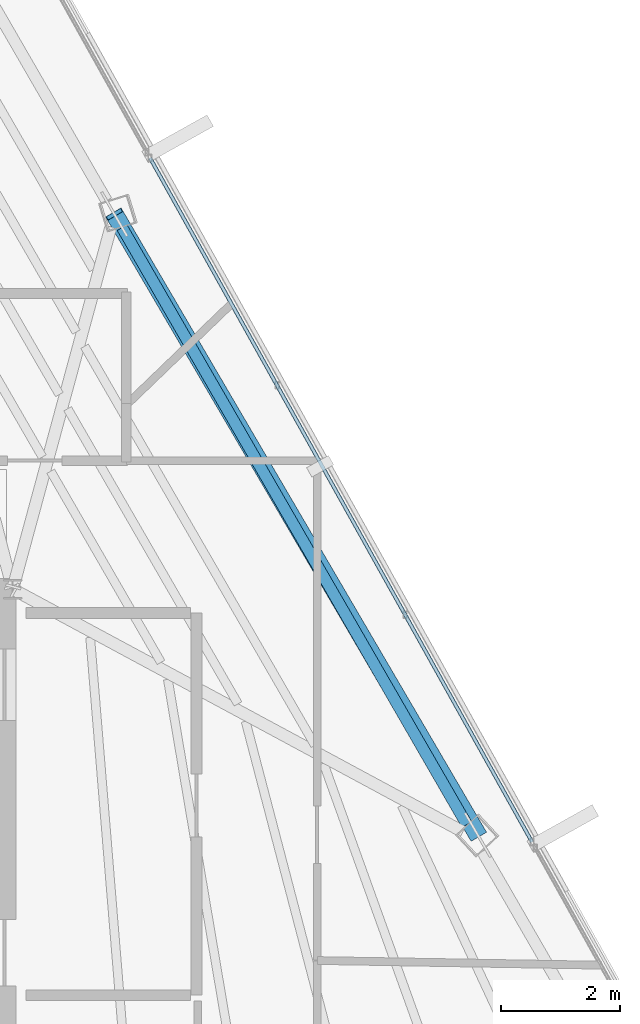
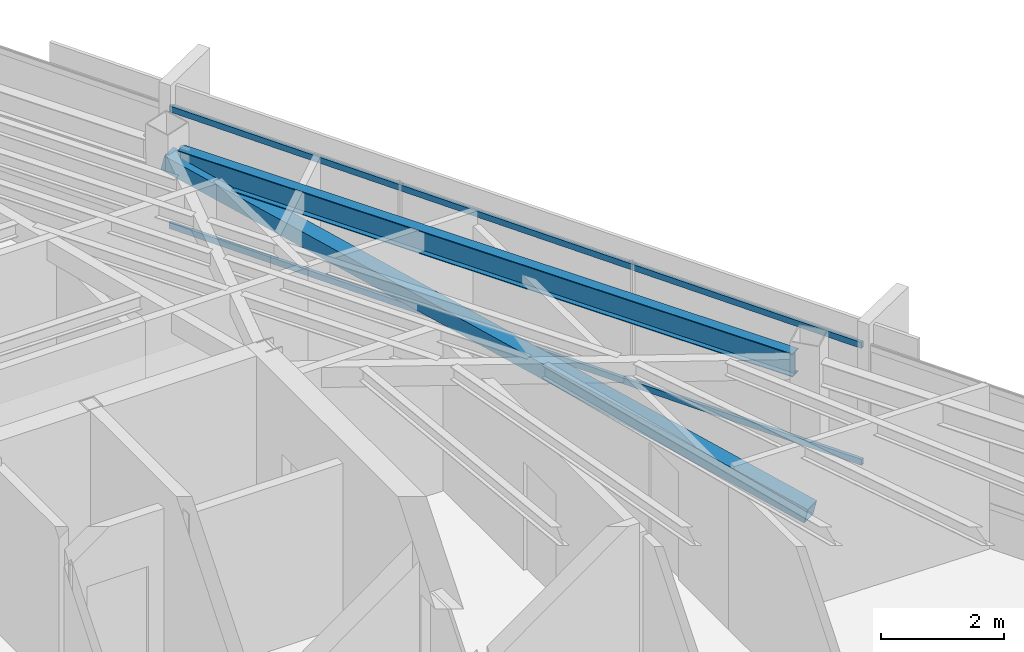
# One storey, part 29 of 44: 3 members, 1 beam, 1 element without a shape of its own.
"""IFC4 building model written with IfcOpenShell, lengths in metres."""

from ifc_helpers import new_model, si_unit, direction, frame, origin, origin_2d, place, context, subcontext, project, spatial, hollow_rectangle, i_section, extrude, source, transform, mapped, material, material_profile, profile_set, type_object, type_shapes, element, aggregate, save


model = new_model("IFC4")

# Units and contexts
model_context = context("Model", 3, precision=1e-05, world=origin(), true_north=direction((0.0, 1.0)))
body_context = subcontext(model_context, "Body", "Model", "MODEL_VIEW")
ifc_project = project(units=[si_unit("LENGTHUNIT", "METRE"), si_unit("AREAUNIT", "SQUARE_METRE"), si_unit("VOLUMEUNIT", "CUBIC_METRE"), si_unit("PLANEANGLEUNIT", "RADIAN"), si_unit("MASSUNIT", "GRAM", prefix="KILO")], contexts=[model_context])

# Site, building, storey
site_placement = place(None, origin())
site = spatial("IfcSite", under=ifc_project, at=site_placement, CompositionType="ELEMENT")
building_placement = place(site_placement, origin())
building = spatial("IfcBuilding", under=site, at=building_placement, Name="Caelisora Broadcast Tower", CompositionType="ELEMENT")
storey_placement = place(building_placement, frame((0.0, 0.0, 280.949951171875)))
storey = spatial("IfcBuildingStorey", under=building, at=storey_placement, Name="L74", CompositionType="ELEMENT", Elevation=280.949951171875)

# Beam
ifc_material_1 = material(Name="Steel Grade 350 (AS/NZS 3679.1)", Category="steel")
ifc_material_profile_1 = material_profile(ifc_material_1, i_section(OverallWidth=0.19091796875, OverallDepth=0.46044921875, WebThickness=0.010009765625, FlangeThickness=0.01611328125, at=origin_2d()), Name="Steel Grade 350 (AS/NZS 3679.1)")
ifc_profile_set_1 = profile_set([ifc_material_profile_1], Name="Steel Grade 350 (AS/NZS 3679.1)")
beam_type = type_object("IfcBeamType", Name="PG06", PredefinedType="BEAM", material=ifc_profile_set_1)
shared_shape_1 = source(origin(), body_context, "Body", "SweptSolid", [
    extrude(i_section(OverallWidth=0.19091796875, OverallDepth=0.46044921875, WebThickness=0.010009765625, FlangeThickness=0.01611328125, at=origin_2d()), origin(), (0.0, 0.0, 1.0), 11.542236328125),
])
type_shapes(beam_type, [shared_shape_1])
beam_placement = place(storey_placement, frame((53.104736328125, 26.056884765625, 3.019775390625), z_axis=(-0.500008692254, 0.866020385251, 0.0), x_axis=(-0.866020385251, -0.500008692254, 0.0)))
element("IfcBeam", 1, at=beam_placement, inside=storey, type_object=beam_type, Name="L74 beam PG06", PredefinedType="BEAM", context=body_context, shape_type="MappedRepresentation", body=[
    mapped(shared_shape_1, transform((0.0, 0.0, 0.0), scale=1.0)),
])

# Member
ifc_material_2 = material(Name="Steel Grade 450 (AS/NZS 1163 C450L0)", Category="steel")
ifc_material_profile_2 = material_profile(ifc_material_2, hollow_rectangle(XDim=0.300048828125, YDim=0.300048828125, WallThickness=0.012451171875, at=origin_2d()), Name="Steel Grade 450 (AS/NZS 1163 C450L0)")
ifc_profile_set_2 = profile_set([ifc_material_profile_2], Name="Steel Grade 450 (AS/NZS 1163 C450L0)")
member_type_1 = type_object("IfcMemberType", Name="BR06", PredefinedType="BRACE", material=ifc_profile_set_2)
shared_shape_2 = source(origin(), body_context, "Body", "SweptSolid", [
    extrude(hollow_rectangle(XDim=0.300048828125, YDim=0.300048828125, WallThickness=0.012451171875, at=origin_2d()), origin(), (0.0, 0.0, 1.0), 12.378662109375),
])
type_shapes(member_type_1, [shared_shape_2])
member_1_placement = place(storey_placement, frame((53.289306640625, 25.8818359375, 0.10009765625), z_axis=(-0.491623242063, 0.839824322764, 0.230220969415), x_axis=(-0.863006064337, -0.505193559854, 0.0)))
element("IfcMember", 2, at=member_1_placement, inside=storey, type_object=member_type_1, Name="L74 perimeter brace BR06", PredefinedType="BRACE", context=body_context, shape_type="MappedRepresentation", body=[
    mapped(shared_shape_2, transform((0.0, 0.0, 0.0), scale=1.0)),
])

# Curtain wall, members
ifc_material_3 = material(Name="Unitised Aluminium Insulated Shadow-Box Spandrel Curtain Wall", Category="aluminium")
curtain_wall_type = type_object("IfcCurtainWallType", Name="CW-SP3", PredefinedType="NOTDEFINED", material=ifc_material_3)
curtain_wall_placement = place(storey_placement, origin())
curtain_wall = element("IfcCurtainWall", 3, at=curtain_wall_placement, inside=storey, type_object=curtain_wall_type, Name="L74 curtain wall CW-SP3", PredefinedType="NOTDEFINED")
ifc_material_4 = material(Name="Aluminium 6063-T6 Anodised Terracotta Bronze", Category="aluminium")
ifc_material_profile_3 = material_profile(ifc_material_4, hollow_rectangle(XDim=0.06005859375, YDim=0.1201171875, WallThickness=0.0029296875, at=origin_2d()), Name="Aluminium 6063-T6 Anodised Terracotta Bronze")
ifc_profile_set_3 = profile_set([ifc_material_profile_3], Name="Aluminium 6063-T6 Anodised Terracotta Bronze")
member_type_2 = type_object("IfcMemberType", Name="CWT-03", PredefinedType="USERDEFINED", material=ifc_profile_set_3)
shared_shape_3 = source(origin(), body_context, "Body", "SweptSolid", [
    extrude(hollow_rectangle(XDim=0.06005859375, YDim=0.1201171875, WallThickness=0.0029296875, at=origin_2d()), origin(), (0.0, 0.0, 1.0), 13.118408203125),
])
type_shapes(member_type_2, [shared_shape_3])
member_2_placement = place(storey_placement, frame((47.801513671875, 37.218505859375, 0.85009765625), z_axis=(0.487578996278, -0.873078875239, 0.0), x_axis=(0.873078875239, 0.487578996278, 0.0)))
member_2 = element("IfcMember", 4, at=member_2_placement, type_object=member_type_2, Name="L74-CW-B02 transom #1", ObjectType="TRANSOM", PredefinedType="USERDEFINED", context=body_context, shape_type="MappedRepresentation", body=[
    mapped(shared_shape_3, transform((0.0, 0.0, 0.0), scale=1.0)),
])
member_3_placement = place(storey_placement, frame((47.801513671875, 37.218505859375, 3.170166015625), z_axis=(0.487578996278, -0.873078875239, 0.0), x_axis=(0.873078875239, 0.487578996278, 0.0)))
member_3 = element("IfcMember", 5, at=member_3_placement, type_object=member_type_2, Name="L74-CW-B02 transom #2", ObjectType="TRANSOM", PredefinedType="USERDEFINED", context=body_context, shape_type="MappedRepresentation", body=[
    mapped(shared_shape_3, transform((0.0, 0.0, 0.0), scale=1.0)),
])
aggregate(curtain_wall, [member_2, member_3])

save(model, "model.ifc")
